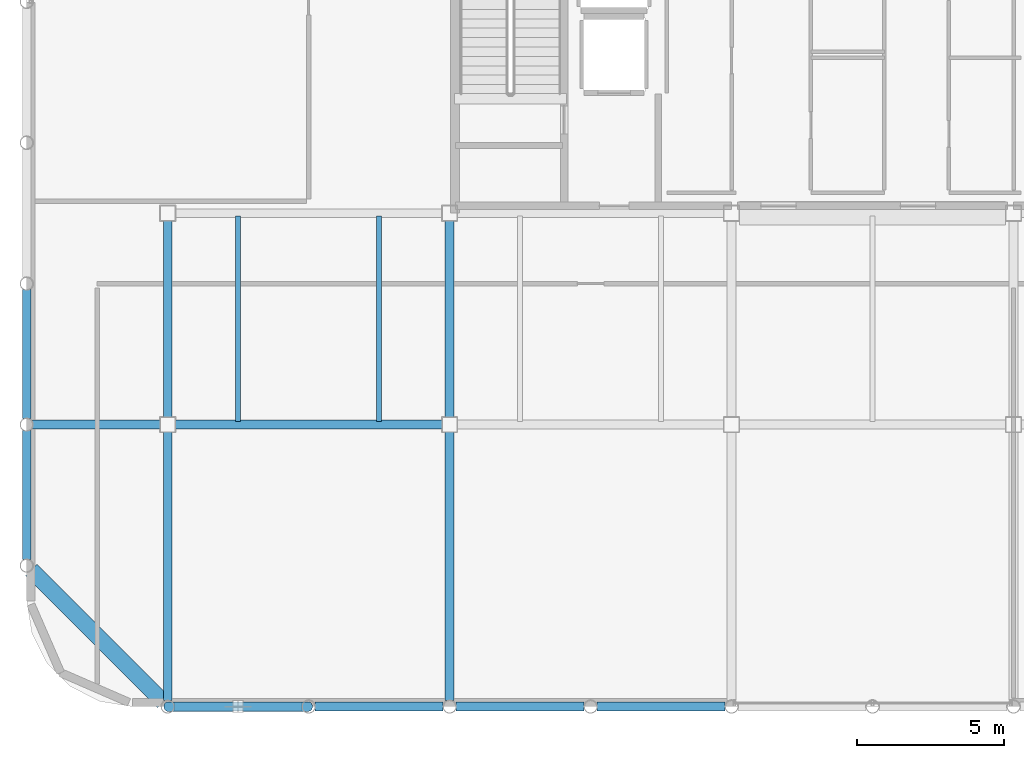
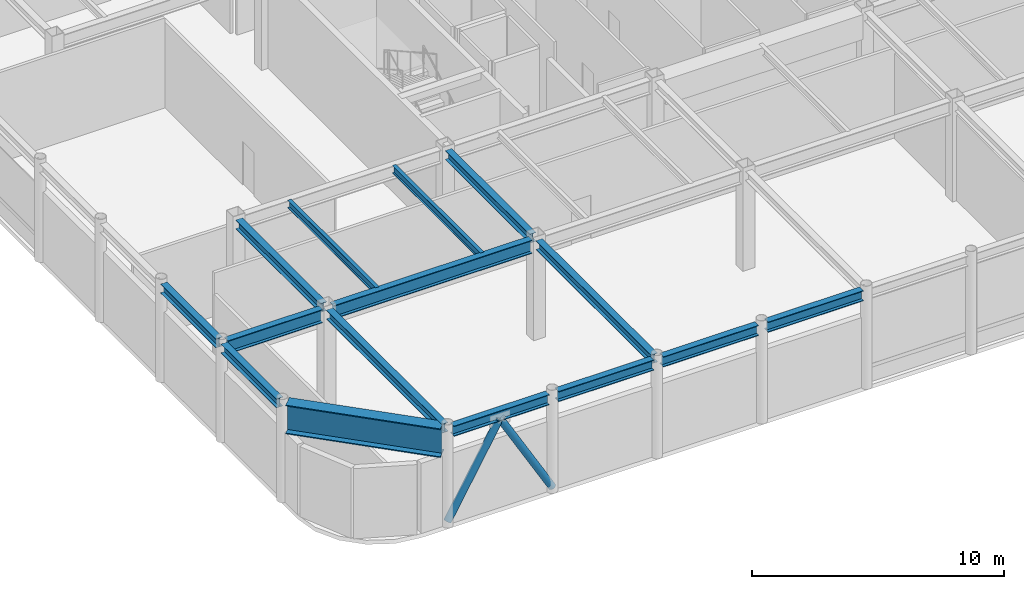
# One storey, part 4 of 21: 15 beams, 2 members.
"""IFC4 building model written with IfcOpenShell, lengths in metres."""

from ifc_helpers import new_model, si_unit, direction, frame, origin, origin_2d, place, context, subcontext, project, spatial, hollow_circle, i_section, extrude, material, material_profile, profile_set, type_object, element, save


model = new_model("IFC4")

# Units and contexts
model_context = context("Model", 3, precision=1e-05, world=origin(), true_north=direction((0.0, 1.0)))
body_context = subcontext(model_context, "Body", "Model", "MODEL_VIEW")
ifc_project = project(units=[si_unit("LENGTHUNIT", "METRE"), si_unit("AREAUNIT", "SQUARE_METRE"), si_unit("VOLUMEUNIT", "CUBIC_METRE"), si_unit("PLANEANGLEUNIT", "RADIAN"), si_unit("MASSUNIT", "GRAM", prefix="KILO")], contexts=[model_context])

# Site, building, storey
site_placement = place(None, origin())
site = spatial("IfcSite", under=ifc_project, at=site_placement, CompositionType="ELEMENT")
building_placement = place(site_placement, origin())
building = spatial("IfcBuilding", under=site, at=building_placement, Name="Kallvorn Hotel Tower", CompositionType="ELEMENT")
storey_placement = place(building_placement, frame((0.0, 0.0, 295.60009765625)))
storey = spatial("IfcBuildingStorey", under=building, at=storey_placement, Name="L73", CompositionType="ELEMENT", Elevation=295.60009765625)

# Beams
ifc_material_1 = material(Name="Structural steel S355JR", Category="steel")
ifc_material_profile_1 = material_profile(ifc_material_1, i_section(OverallWidth=0.300048828125, OverallDepth=0.43994140625, WebThickness=0.011474609375, FlangeThickness=0.02099609375, at=origin_2d()), Name="HE 450 A")
ifc_profile_set_1 = profile_set([ifc_material_profile_1], Name="Structural steel S355JR")
beam_type_1 = type_object("IfcBeamType", Name="BM_HE450A", PredefinedType="BEAM", material=ifc_profile_set_1)
for number, where, z_axis, x_axis, name in (
    (1, (-28.800048828125, -18.99658203125, 4.579833984375), (0.0, 1.0, 0.0), (-1.0, 0.0, 0.0), "L74 Primary Y-Girder 25"),
    (2, (-28.800048828125, -14.196533203125, 4.579833984375), (0.0, 1.0, 0.0), (-1.0, 0.0, 0.0), "L74 Primary Y-Girder 26"),
):
    element("IfcBeam", number, at=place(storey_placement, frame(where, z_axis=z_axis, x_axis=x_axis)), inside=storey, type_object=beam_type_1, Name=name, PredefinedType="BEAM", context=body_context, shape_type="SweptSolid", body=[
        extrude(i_section(OverallWidth=0.300048828125, OverallDepth=0.43994140625, WebThickness=0.011474609375, FlangeThickness=0.02099609375, at=origin_2d()), origin(), (0.0, 0.0, 1.0), 4.39306640625),
    ])
beam_1_placement = place(storey_placement, frame((-24.0, -23.79638671875, 4.579833984375), z_axis=(0.0, 1.0, 0.0), x_axis=(-1.0, 0.0, 0.0)))
element("IfcBeam", 3, at=beam_1_placement, inside=storey, type_object=beam_type_1, Name="L74 Primary Y-Girder 31", PredefinedType="BEAM", context=body_context, shape_type="SweptSolid", body=[
    extrude(i_section(OverallWidth=0.300048828125, OverallDepth=0.43994140625, WebThickness=0.011474609375, FlangeThickness=0.02099609375, at=origin_2d()), origin(), (0.0, 0.0, 1.0), 9.146484375),
])
beam_2_placement = place(storey_placement, frame((-24.0, -14.14990234375, 4.579833984375), z_axis=(0.0, 1.0, 0.0), x_axis=(-1.0, 0.0, 0.0)))
element("IfcBeam", 4, at=beam_2_placement, inside=storey, type_object=beam_type_1, Name="L74 Primary Y-Girder 32", PredefinedType="BEAM", context=body_context, shape_type="SweptSolid", body=[
    extrude(i_section(OverallWidth=0.300048828125, OverallDepth=0.43994140625, WebThickness=0.011474609375, FlangeThickness=0.02099609375, at=origin_2d()), origin(), (0.0, 0.0, 1.0), 6.699951171875),
])
beam_3_placement = place(storey_placement, frame((-14.39990234375, -23.79638671875, 4.579833984375), z_axis=(0.0, 1.0, 0.0), x_axis=(-1.0, 0.0, 0.0)))
element("IfcBeam", 5, at=beam_3_placement, inside=storey, type_object=beam_type_1, Name="L74 Primary Y-Girder 34", PredefinedType="BEAM", context=body_context, shape_type="SweptSolid", body=[
    extrude(i_section(OverallWidth=0.300048828125, OverallDepth=0.43994140625, WebThickness=0.011474609375, FlangeThickness=0.02099609375, at=origin_2d()), origin(), (0.0, 0.0, 1.0), 9.146484375),
])
beam_4_placement = place(storey_placement, frame((-14.39990234375, -14.14990234375, 4.579833984375), z_axis=(0.0, 1.0, 0.0), x_axis=(-1.0, 0.0, 0.0)))
element("IfcBeam", 6, at=beam_4_placement, inside=storey, type_object=beam_type_1, Name="L74 Primary Y-Girder 35", PredefinedType="BEAM", context=body_context, shape_type="SweptSolid", body=[
    extrude(i_section(OverallWidth=0.300048828125, OverallDepth=0.43994140625, WebThickness=0.011474609375, FlangeThickness=0.02099609375, at=origin_2d()), origin(), (0.0, 0.0, 1.0), 6.699951171875),
])
ifc_material_2 = material(Name="Structural steel S355JR", Category="steel")
ifc_material_profile_2 = material_profile(ifc_material_2, i_section(OverallWidth=0.300048828125, OverallDepth=0.5, WebThickness=0.014404296875, FlangeThickness=0.028076171875, at=origin_2d()), Name="HE 500 B")
ifc_profile_set_2 = profile_set([ifc_material_profile_2], Name="Structural steel S355JR")
beam_type_2 = type_object("IfcBeamType", Name="BM_HE500B", PredefinedType="SPANDREL", material=ifc_profile_set_2)
for number, where, z_axis, x_axis, name in (
    (7, (-23.781494140625, -24.0, 4.5498046875), (1.0, 0.0, 0.0), (0.0, 1.0, 0.0), "L74 Perimeter Spandrel 54"),
    (8, (-18.9814453125, -24.0, 4.5498046875), (1.0, 0.0, 0.0), (0.0, 1.0, 0.0), "L74 Perimeter Spandrel 55"),
):
    element("IfcBeam", number, at=place(storey_placement, frame(where, z_axis=z_axis, x_axis=x_axis)), inside=storey, type_object=beam_type_2, Name=name, PredefinedType="SPANDREL", context=body_context, shape_type="SweptSolid", body=[
        extrude(i_section(OverallWidth=0.300048828125, OverallDepth=0.5, WebThickness=0.014404296875, FlangeThickness=0.028076171875, at=origin_2d()), origin(), (0.0, 0.0, 1.0), 4.363037109375),
    ])
beam_5_placement = place(storey_placement, frame((-14.181396484375, -24.0, 4.5498046875), z_axis=(1.0, 0.0, 0.0), x_axis=(0.0, 1.0, 0.0)))
element("IfcBeam", 9, at=beam_5_placement, inside=storey, type_object=beam_type_2, Name="L74 Perimeter Spandrel 56", PredefinedType="SPANDREL", context=body_context, shape_type="SweptSolid", body=[
    extrude(i_section(OverallWidth=0.300048828125, OverallDepth=0.5, WebThickness=0.014404296875, FlangeThickness=0.028076171875, at=origin_2d()), origin(), (0.0, 0.0, 1.0), 4.36279296875),
])
beam_6_placement = place(storey_placement, frame((-9.381591796875, -24.0, 4.5498046875), z_axis=(1.0, 0.0, 0.0), x_axis=(0.0, 1.0, 0.0)))
element("IfcBeam", 10, at=beam_6_placement, inside=storey, type_object=beam_type_2, Name="L74 Perimeter Spandrel 57", PredefinedType="SPANDREL", context=body_context, shape_type="SweptSolid", body=[
    extrude(i_section(OverallWidth=0.300048828125, OverallDepth=0.5, WebThickness=0.014404296875, FlangeThickness=0.028076171875, at=origin_2d()), origin(), (0.0, 0.0, 1.0), 4.363037109375),
])
ifc_material_3 = material(Name="Structural steel S355JR", Category="steel")
ifc_material_profile_3 = material_profile(ifc_material_3, i_section(OverallWidth=0.300048828125, OverallDepth=0.64990234375, WebThickness=0.01611328125, FlangeThickness=0.031005859375, at=origin_2d()), Name="HE 650 B")
ifc_profile_set_3 = profile_set([ifc_material_profile_3], Name="Structural steel S355JR")
beam_type_3 = type_object("IfcBeamType", Name="BM_HE650B", PredefinedType="BEAM", material=ifc_profile_set_3)
beam_7_placement = place(storey_placement, frame((-28.596435546875, -14.39990234375, 4.474853515625), z_axis=(1.0, 0.0, 0.0), x_axis=(0.0, 1.0, 0.0)))
element("IfcBeam", 11, at=beam_7_placement, inside=storey, type_object=beam_type_3, Name="L74 Primary X-Girder 01", PredefinedType="BEAM", context=body_context, shape_type="SweptSolid", body=[
    extrude(i_section(OverallWidth=0.300048828125, OverallDepth=0.64990234375, WebThickness=0.01611328125, FlangeThickness=0.031005859375, at=origin_2d()), origin(), (0.0, 0.0, 1.0), 4.346435546875),
])
beam_8_placement = place(storey_placement, frame((-23.75, -14.39990234375, 4.474853515625), z_axis=(1.0, 0.0, 0.0), x_axis=(0.0, 1.0, 0.0)))
element("IfcBeam", 12, at=beam_8_placement, inside=storey, type_object=beam_type_3, Name="L74 Primary X-Girder 02", PredefinedType="BEAM", context=body_context, shape_type="SweptSolid", body=[
    extrude(i_section(OverallWidth=0.300048828125, OverallDepth=0.64990234375, WebThickness=0.01611328125, FlangeThickness=0.031005859375, at=origin_2d()), origin(), (0.0, 0.0, 1.0), 9.10009765625),
])
ifc_material_4 = material(Name="Structural steel S355JR", Category="steel")
ifc_material_profile_4 = material_profile(ifc_material_4, i_section(OverallWidth=0.169921875, OverallDepth=0.360107421875, WebThickness=0.008056640625, FlangeThickness=0.0126953125, at=origin_2d()), Name="IPE 360")
ifc_profile_set_4 = profile_set([ifc_material_profile_4], Name="Structural steel S355JR")
beam_type_4 = type_object("IfcBeamType", Name="BM_IPE360", PredefinedType="JOIST", material=ifc_profile_set_4)
for number, where, z_axis, x_axis, name in (
    (13, (-21.60009765625, -14.300048828125, 4.619873046875), (0.0, 1.0, 0.0), (-1.0, 0.0, 0.0), "L74 Secondary Composite Joist 90"),
    (14, (-16.800048828125, -14.300048828125, 4.619873046875), (0.0, 1.0, 0.0), (-1.0, 0.0, 0.0), "L74 Secondary Composite Joist 92"),
):
    element("IfcBeam", number, at=place(storey_placement, frame(where, z_axis=z_axis, x_axis=x_axis)), inside=storey, type_object=beam_type_4, Name=name, PredefinedType="JOIST", context=body_context, shape_type="SweptSolid", body=[
        extrude(i_section(OverallWidth=0.169921875, OverallDepth=0.360107421875, WebThickness=0.008056640625, FlangeThickness=0.0126953125, at=origin_2d()), origin(), (0.0, 0.0, 1.0), 7.0),
    ])
ifc_material_5 = material(Name="Structural steel S355JR", Category="steel")
ifc_material_profile_5 = material_profile(ifc_material_5, i_section(OverallWidth=0.550048828125, OverallDepth=1.39990234375, WebThickness=0.02490234375, FlangeThickness=0.044921875, at=origin_2d()), Name="PG 1400x550x25x45")
ifc_profile_set_5 = profile_set([ifc_material_profile_5], Name="Structural steel S355JR")
beam_type_5 = type_object("IfcBeamType", Name="BM_PG_1400", PredefinedType="BEAM", material=ifc_profile_set_5)
beam_9_placement = place(storey_placement, frame((-28.6455078125, -19.3544921875, 4.099853515625), z_axis=(0.707106781187, -0.707106781187, 0.0), x_axis=(0.707106781187, 0.707106781187, 0.0)))
element("IfcBeam", 15, at=beam_9_placement, inside=storey, type_object=beam_type_5, Name="L74 Rounded Corner Tie Beam 86", PredefinedType="BEAM", context=body_context, shape_type="SweptSolid", body=[
    extrude(i_section(OverallWidth=0.550048828125, OverallDepth=1.39990234375, WebThickness=0.02490234375, FlangeThickness=0.044921875, at=origin_2d()), origin(), (0.0, 0.0, 1.0), 6.35107421875),
])

# Members
ifc_material_6 = material(Name="Structural steel S355J2H", Category="steel")
ifc_material_profile_6 = material_profile(ifc_material_6, hollow_circle(Radius=0.161865234375, WallThickness=0.012451171875, at=origin_2d()), Name="CHS 323.9x12.5")
ifc_profile_set_6 = profile_set([ifc_material_profile_6], Name="Structural steel S355J2H")
member_type = type_object("IfcMemberType", Name="MBR_EXO_CHS323", PredefinedType="BRACE", material=ifc_profile_set_6)
member_1_placement = place(storey_placement, frame((-23.989990234375, -24.0, 0.197265625), z_axis=(0.499712098434, 0.0, 0.866191560037), x_axis=(0.0, 1.0, 0.0)))
element("IfcMember", 16, at=member_1_placement, inside=storey, type_object=member_type, Name="L73 Exoskeleton K-Brace S1A", PredefinedType="BRACE", context=body_context, shape_type="SweptSolid", body=[
    extrude(hollow_circle(Radius=0.161865234375, WallThickness=0.012451171875, at=origin_2d()), origin(), (0.0, 0.0, 1.0), 4.762451171875),
])
member_2_placement = place(storey_placement, frame((-19.2099609375, -24.0, 0.197265625), z_axis=(-0.499750558989, 0.0, 0.866169370729), x_axis=(0.0, -1.0, 0.0)))
element("IfcMember", 17, at=member_2_placement, inside=storey, type_object=member_type, Name="L73 Exoskeleton K-Brace S1B", PredefinedType="BRACE", context=body_context, shape_type="SweptSolid", body=[
    extrude(hollow_circle(Radius=0.161865234375, WallThickness=0.012451171875, at=origin_2d()), origin(), (0.0, 0.0, 1.0), 4.7626953125),
])

save(model, "model.ifc")
